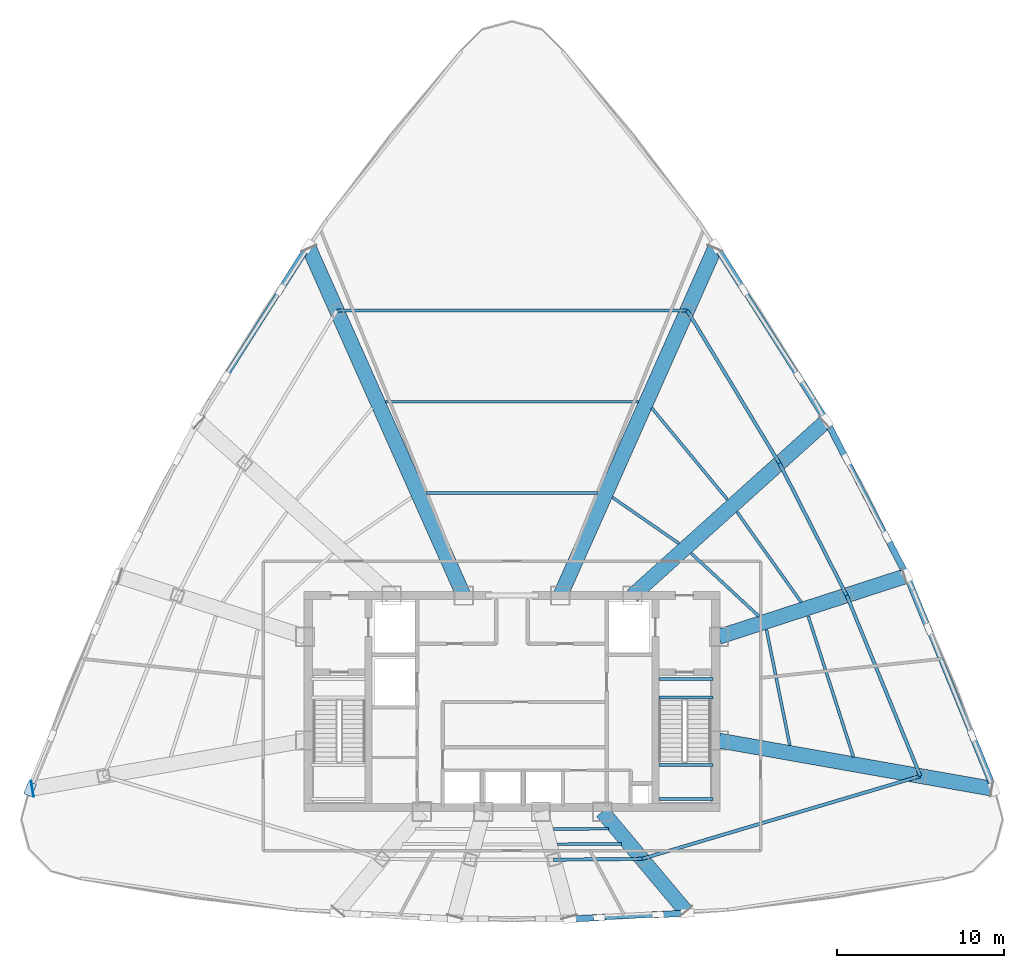
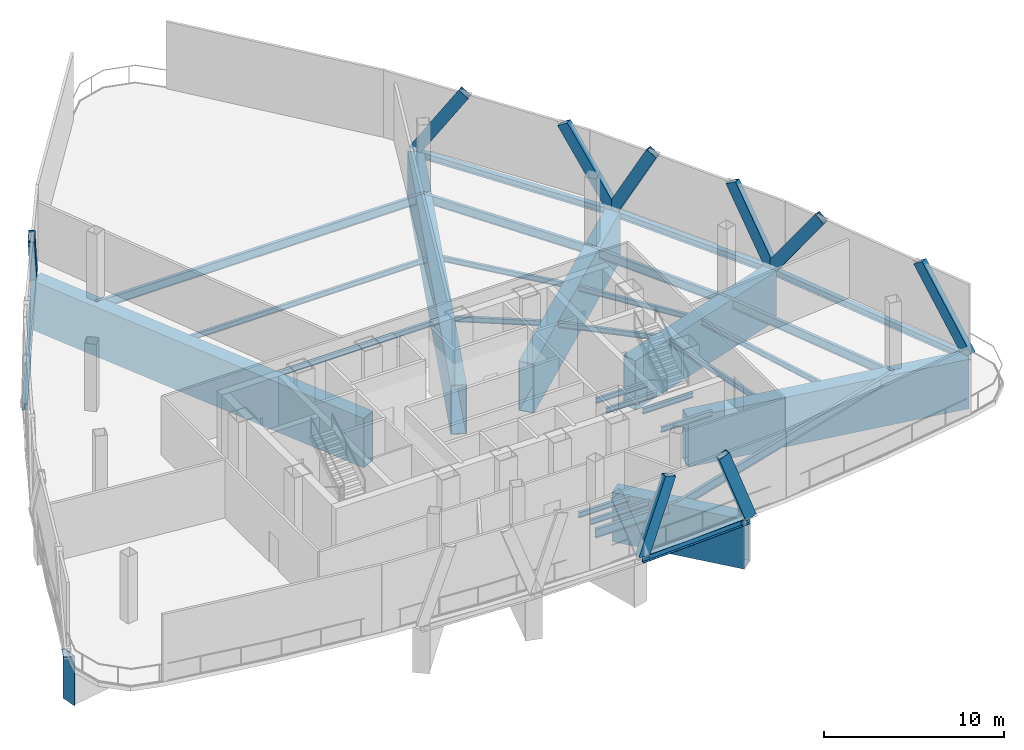
# One storey, part 2 of 12: 31 beams, 9 members, 2 plates.
"""IFC4 building model written with IfcOpenShell, lengths in metres."""

from ifc_helpers import new_model, si_unit, direction, frame, origin, origin_2d, place, context, subcontext, project, spatial, rectangle, hollow_rectangle, i_section, extrude, source, transform, mapped, material, layer, layer_set, material_profile, profile_set, type_object, element, save


model = new_model("IFC4")

# Units and contexts
model_context = context("Model", 3, precision=1e-05, world=origin(), true_north=direction((0.0, 1.0)))
body_context = subcontext(model_context, "Body", "Model", "MODEL_VIEW")
ifc_project = project(units=[si_unit("LENGTHUNIT", "METRE"), si_unit("AREAUNIT", "SQUARE_METRE"), si_unit("VOLUMEUNIT", "CUBIC_METRE"), si_unit("PLANEANGLEUNIT", "RADIAN"), si_unit("MASSUNIT", "GRAM", prefix="KILO"), si_unit("THERMODYNAMICTEMPERATUREUNIT", "KELVIN"), si_unit("POWERUNIT", "WATT")], contexts=[model_context])

# Site, building, storey
site_placement = place(None, origin())
site = spatial("IfcSite", under=ifc_project, at=site_placement, CompositionType="ELEMENT")
building_placement = place(site_placement, origin())
building = spatial("IfcBuilding", under=site, at=building_placement, Name="Yunzhuo Pagoda Commons", CompositionType="ELEMENT")
storey_placement = place(building_placement, frame((0.0, 0.0, 320.7099609375)))
storey = spatial("IfcBuildingStorey", under=building, at=storey_placement, Name="L80", CompositionType="ELEMENT", Elevation=320.7099609375)

# Beams
ifc_material_1 = material(Name="Structural steel Q355B", Category="steel")
ifc_material_profile_1 = material_profile(ifc_material_1, i_section(OverallWidth=0.175048828125, OverallDepth=0.35009765625, WebThickness=0.007080078125, FlangeThickness=0.010986328125, at=origin_2d()), Name="Structural steel Q355B")
ifc_profile_set_1 = profile_set([ifc_material_profile_1], Name="Structural steel Q355B")
beam_type_1 = type_object("IfcBeamType", Name="B-JS2 Joist HN 350x175x7x11", PredefinedType="JOIST", material=ifc_profile_set_1)
shared_shape_1 = source(origin(), body_context, "Body", "SweptSolid", [
    extrude(i_section(OverallWidth=0.175048828125, OverallDepth=0.35009765625, WebThickness=0.007080078125, FlangeThickness=0.010986328125, at=origin_2d()), origin(), (0.0, 0.0, 1.0), 3.25),
])
for number, where, z_axis, x_axis, name in (
    (1, (56.800048828125, 28.0, 2.025146484375), (1.0, 0.0, 0.0), (0.0, 1.0, 0.0), "L80 ST2 landing support beam 86A"),
    (2, (56.800048828125, 30.06005859375, 2.025146484375), (1.0, 0.0, 0.0), (0.0, 1.0, 0.0), "L80 ST2 landing support beam 86B"),
    (3, (56.800048828125, 34.10009765625, -0.375), (1.0, 0.0, 0.0), (0.0, 1.0, 0.0), "L80 ST2 landing support beam 184A"),
    (4, (56.800048828125, 35.199951171875, -0.375), (1.0, 0.0, 0.0), (0.0, 1.0, 0.0), "L80 ST2 landing support beam 184B"),
):
    element("IfcBeam", number, at=place(storey_placement, frame(where, z_axis=z_axis, x_axis=x_axis)), inside=storey, type_object=beam_type_1, Name=name, PredefinedType="JOIST", context=body_context, shape_type="MappedRepresentation", body=[
        mapped(shared_shape_1, transform((0.0, 0.0, 0.0), scale=1.0)),
    ])
ifc_material_2 = material(Name="Structural steel Q420B", Category="steel")
ifc_material_profile_2 = material_profile(ifc_material_2, hollow_rectangle(XDim=0.89990234375, YDim=3.35009765625, WallThickness=0.048095703125, at=origin_2d()), Name="Structural steel Q420B")
ifc_profile_set_2 = profile_set([ifc_material_profile_2], Name="Structural steel Q420B")
beam_type_2 = type_object("IfcBeamType", Name="BTR-2 Beam BOX 3350x900x48", PredefinedType="BEAM", material=ifc_profile_set_2)
shared_shape_2 = source(origin(), body_context, "Body", "SweptSolid", [
    extrude(hollow_rectangle(XDim=0.89990234375, YDim=3.35009765625, WallThickness=0.048095703125, at=origin_2d()), origin(), (0.0, 0.0, 1.0), 7.78271484375),
])
beam_1_placement = place(storey_placement, frame((58.414794921875, 21.2880859375, -1.955078125), z_axis=(-0.642791052162, 0.766041554526, 0.0), x_axis=(-0.766041554526, -0.642791052162, 0.0)))
element("IfcBeam", 5, at=beam_1_placement, inside=storey, type_object=beam_type_2, Name="BTR-2 L80 collinear transfer girder F1C4", PredefinedType="BEAM", context=body_context, shape_type="MappedRepresentation", body=[
    mapped(shared_shape_2, transform((0.0, 0.0, 0.0), scale=1.0)),
])
shared_shape_3 = source(origin(), body_context, "Body", "SweptSolid", [
    extrude(hollow_rectangle(XDim=0.89990234375, YDim=3.35009765625, WallThickness=0.048095703125, at=origin_2d()), origin(), (0.0, 0.0, 1.0), 16.576416015625),
])
beam_2_placement = place(storey_placement, frame((76.724609375, 28.635009765625, -1.955078125), z_axis=(-0.984808457955, 0.173644179692, 0.0), x_axis=(-0.173644179692, -0.984808457955, 0.0)))
element("IfcBeam", 6, at=beam_2_placement, inside=storey, type_object=beam_type_2, Name="BTR-2 L80 collinear transfer girder F2C1", PredefinedType="BEAM", context=body_context, shape_type="MappedRepresentation", body=[
    mapped(shared_shape_3, transform((0.0, 0.0, 0.0), scale=1.0)),
])
shared_shape_4 = source(origin(), body_context, "Body", "SweptSolid", [
    extrude(hollow_rectangle(XDim=0.89990234375, YDim=3.35009765625, WallThickness=0.048095703125, at=origin_2d()), origin(), (0.0, 0.0, 1.0), 11.676025390625),
])
beam_3_placement = place(storey_placement, frame((71.504638671875, 41.3369140625, -1.955078125), z_axis=(-0.951062491517, -0.308998603927, 0.0), x_axis=(0.308998603927, -0.951062491517, 0.0)))
element("IfcBeam", 7, at=beam_3_placement, inside=storey, type_object=beam_type_2, Name="BTR-2 L80 collinear transfer girder F2C2", PredefinedType="BEAM", context=body_context, shape_type="MappedRepresentation", body=[
    mapped(shared_shape_4, transform((0.0, 0.0, 0.0), scale=1.0)),
])
shared_shape_5 = source(origin(), body_context, "Body", "SweptSolid", [
    extrude(hollow_rectangle(XDim=0.89990234375, YDim=3.35009765625, WallThickness=0.048095703125, at=origin_2d()), origin(), (0.0, 0.0, 1.0), 15.487548828125),
])
beam_4_placement = place(storey_placement, frame((66.728515625, 50.563232421875, -1.955078125), z_axis=(-0.743142849048, -0.6691328014, 0.0), x_axis=(0.6691328014, -0.743142849048, 0.0)))
element("IfcBeam", 8, at=beam_4_placement, inside=storey, type_object=beam_type_2, Name="BTR-2 L80 collinear transfer girder F2C3", PredefinedType="BEAM", context=body_context, shape_type="MappedRepresentation", body=[
    mapped(shared_shape_5, transform((0.0, 0.0, 0.0), scale=1.0)),
])
shared_shape_6 = source(origin(), body_context, "Body", "SweptSolid", [
    extrude(hollow_rectangle(XDim=0.89990234375, YDim=3.35009765625, WallThickness=0.048095703125, at=origin_2d()), origin(), (0.0, 0.0, 1.0), 22.76953125),
])
for number, where, z_axis, x_axis, name in (
    (9, (60.1552734375, 61.0009765625, -1.955078125), (-0.406737276471, -0.913545175637, 0.0), (0.913545175637, -0.406737276471, 0.0), "BTR-2 L80 collinear transfer girder F2C4"),
    (10, (35.8447265625, 61.0009765625, -1.955078125), (0.406737276471, -0.913545175637, 0.0), (0.913545175637, 0.406737276471, 0.0), "BTR-2 L80 collinear transfer girder F3C1"),
):
    element("IfcBeam", number, at=place(storey_placement, frame(where, z_axis=z_axis, x_axis=x_axis)), inside=storey, type_object=beam_type_2, Name=name, PredefinedType="BEAM", context=body_context, shape_type="MappedRepresentation", body=[
        mapped(shared_shape_6, transform((0.0, 0.0, 0.0), scale=1.0)),
    ])
ifc_material_profile_3 = material_profile(ifc_material_1, i_section(OverallWidth=0.300048828125, OverallDepth=0.43994140625, WebThickness=0.010986328125, FlangeThickness=0.01806640625, at=origin_2d()), Name="Structural steel Q355B")
ifc_profile_set_3 = profile_set([ifc_material_profile_3], Name="Structural steel Q355B")
beam_type_3 = type_object("IfcBeamType", Name="B-SP2 Beam HM 440x300x11x18", PredefinedType="BEAM", material=ifc_profile_set_3)
shared_shape_7 = source(origin(), body_context, "Body", "SweptSolid", [
    extrude(i_section(OverallWidth=0.300048828125, OverallDepth=0.43994140625, WebThickness=0.010986328125, FlangeThickness=0.01806640625, at=origin_2d()), origin(), (0.0, 0.0, 1.0), 7.0712890625),
])
beam_5_placement = place(storey_placement, frame((51.451904296875, 20.817138671875, -0.5), z_axis=(0.998758186738, 0.049820522105, 0.0), x_axis=(-0.049820522105, 0.998758186738, 0.0)))
element("IfcBeam", 11, at=beam_5_placement, inside=storey, type_object=beam_type_3, Name="L80 facade edge spandrel beam F1.3", PredefinedType="BEAM", context=body_context, shape_type="MappedRepresentation", body=[
    mapped(shared_shape_7, transform((0.0, 0.0, 0.0), scale=1.0)),
])
shared_shape_8 = source(origin(), body_context, "Body", "SweptSolid", [
    extrude(i_section(OverallWidth=0.300048828125, OverallDepth=0.43994140625, WebThickness=0.010986328125, FlangeThickness=0.01806640625, at=origin_2d()), origin(), (0.0, 0.0, 1.0), 13.80419921875),
])
beam_6_placement = place(storey_placement, frame((76.87744140625, 28.608154296875, -0.5), z_axis=(-0.378566733914, 0.925573999189, 0.0), x_axis=(-0.925573999189, -0.378566733914, 0.0)))
element("IfcBeam", 12, at=beam_6_placement, inside=storey, type_object=beam_type_3, Name="L80 facade edge spandrel beam F2.1", PredefinedType="BEAM", context=body_context, shape_type="MappedRepresentation", body=[
    mapped(shared_shape_8, transform((0.0, 0.0, 0.0), scale=1.0)),
])
shared_shape_9 = source(origin(), body_context, "Body", "SweptSolid", [
    extrude(i_section(OverallWidth=0.300048828125, OverallDepth=0.43994140625, WebThickness=0.010986328125, FlangeThickness=0.01806640625, at=origin_2d()), origin(), (0.0, 0.0, 1.0), 10.453369140625),
])
beam_7_placement = place(storey_placement, frame((71.651611328125, 41.385009765625, -0.5), z_axis=(-0.459938764451, 0.887950636553, 0.0), x_axis=(-0.887950636553, -0.459938764451, 0.0)))
element("IfcBeam", 13, at=beam_7_placement, inside=storey, type_object=beam_type_3, Name="L80 facade edge spandrel beam F2.2", PredefinedType="BEAM", context=body_context, shape_type="MappedRepresentation", body=[
    mapped(shared_shape_9, transform((0.0, 0.0, 0.0), scale=1.0)),
])
shared_shape_10 = source(origin(), body_context, "Body", "SweptSolid", [
    extrude(i_section(OverallWidth=0.300048828125, OverallDepth=0.43994140625, WebThickness=0.010986328125, FlangeThickness=0.01806640625, at=origin_2d()), origin(), (0.0, 0.0, 1.0), 12.39501953125),
])
for number, where, z_axis, x_axis, name in (
    (14, (66.84375, 50.6669921875, -0.5), (-0.534530897575, 0.845148933347, 0.0), (-0.845148933347, -0.534530897575, 0.0), "L80 facade edge spandrel beam F2.3"),
    (15, (35.78173828125, 61.142578125, -0.5), (-0.534530897575, -0.845148933347, 0.0), (0.845148933347, -0.534530897575, 0.0), "L80 facade edge spandrel beam F3.1"),
):
    element("IfcBeam", number, at=place(storey_placement, frame(where, z_axis=z_axis, x_axis=x_axis)), inside=storey, type_object=beam_type_3, Name=name, PredefinedType="BEAM", context=body_context, shape_type="MappedRepresentation", body=[
        mapped(shared_shape_10, transform((0.0, 0.0, 0.0), scale=1.0)),
    ])
ifc_material_profile_4 = material_profile(ifc_material_1, i_section(OverallWidth=0.199951171875, OverallDepth=0.60009765625, WebThickness=0.010986328125, FlangeThickness=0.01708984375, at=origin_2d()), Name="Structural steel Q355B")
ifc_profile_set_4 = profile_set([ifc_material_profile_4], Name="Structural steel Q355B")
beam_type_4 = type_object("IfcBeamType", Name="B-RG3 Beam HN 600x200x11x17", PredefinedType="BEAM", material=ifc_profile_set_4)
shared_shape_11 = source(origin(), body_context, "Body", "SweptSolid", [
    extrude(i_section(OverallWidth=0.199951171875, OverallDepth=0.60009765625, WebThickness=0.010986328125, FlangeThickness=0.01708984375, at=origin_2d()), origin(), (0.0, 0.0, 1.0), 5.286376953125),
])
beam_8_placement = place(storey_placement, frame((50.499267578125, 24.372802734375, -0.580078125), z_axis=(0.999957341442, 0.009236627946, 0.0), x_axis=(-0.009236627946, 0.999957341442, 0.0)))
element("IfcBeam", 16, at=beam_8_placement, inside=storey, type_object=beam_type_4, Name="L80 column-ring beam 3", PredefinedType="BEAM", context=body_context, shape_type="MappedRepresentation", body=[
    mapped(shared_shape_11, transform((0.0, 0.0, 0.0), scale=1.0)),
])
shared_shape_12 = source(origin(), body_context, "Body", "SweptSolid", [
    extrude(i_section(OverallWidth=0.175048828125, OverallDepth=0.35009765625, WebThickness=0.007080078125, FlangeThickness=0.010986328125, at=origin_2d()), origin(), (0.0, 0.0, 1.0), 3.306640625),
])
beam_9_placement = place(storey_placement, frame((50.48291015625, 26.21630859375, -0.455078125), z_axis=(0.999991754896, 0.004060805266, 0.0), x_axis=(-0.004060805266, 0.999991754896, 0.0)))
element("IfcBeam", 17, at=beam_9_placement, inside=storey, type_object=beam_type_1, Name="L80 composite ring joist 1.3", PredefinedType="JOIST", context=body_context, shape_type="MappedRepresentation", body=[
    mapped(shared_shape_12, transform((0.0, 0.0, 0.0), scale=1.0)),
])
shared_shape_13 = source(origin(), body_context, "Body", "SweptSolid", [
    extrude(i_section(OverallWidth=0.175048828125, OverallDepth=0.35009765625, WebThickness=0.007080078125, FlangeThickness=0.010986328125, at=origin_2d()), origin(), (0.0, 0.0, 1.0), 3.819580078125),
])
beam_10_placement = place(storey_placement, frame((50.7294921875, 25.296875, -0.455078125), z_axis=(0.999975730767, 0.006966913049, 0.0), x_axis=(-0.006966913049, 0.999975730767, 0.0)))
element("IfcBeam", 18, at=beam_10_placement, inside=storey, type_object=beam_type_1, Name="L80 composite ring joist 2.3", PredefinedType="JOIST", context=body_context, shape_type="MappedRepresentation", body=[
    mapped(shared_shape_13, transform((0.0, 0.0, 0.0), scale=1.0)),
])
shared_shape_14 = source(origin(), body_context, "Body", "SweptSolid", [
    extrude(i_section(OverallWidth=0.199951171875, OverallDepth=0.60009765625, WebThickness=0.010986328125, FlangeThickness=0.01708984375, at=origin_2d()), origin(), (0.0, 0.0, 1.0), 17.407470703125),
])
beam_11_placement = place(storey_placement, frame((55.785400390625, 24.421630859375, -0.580078125), z_axis=(0.958484984609, 0.285143006717, 0.0), x_axis=(-0.285143006717, 0.958484984609, 0.0)))
element("IfcBeam", 19, at=beam_11_placement, inside=storey, type_object=beam_type_4, Name="L80 column-ring beam 4", PredefinedType="BEAM", context=body_context, shape_type="MappedRepresentation", body=[
    mapped(shared_shape_14, transform((0.0, 0.0, 0.0), scale=1.0)),
])
shared_shape_15 = source(origin(), body_context, "Body", "SweptSolid", [
    extrude(i_section(OverallWidth=0.199951171875, OverallDepth=0.60009765625, WebThickness=0.010986328125, FlangeThickness=0.01708984375, at=origin_2d()), origin(), (0.0, 0.0, 1.0), 11.696533203125),
])
beam_12_placement = place(storey_placement, frame((72.47021484375, 29.38525390625, -0.580078125), z_axis=(-0.377611800863, 0.925963999219, 0.0), x_axis=(-0.925963999219, -0.377611800863, 0.0)))
element("IfcBeam", 20, at=beam_12_placement, inside=storey, type_object=beam_type_4, Name="L80 column-ring beam 5", PredefinedType="BEAM", context=body_context, shape_type="MappedRepresentation", body=[
    mapped(shared_shape_15, transform((0.0, 0.0, 0.0), scale=1.0)),
])
shared_shape_16 = source(origin(), body_context, "Body", "SweptSolid", [
    extrude(i_section(OverallWidth=0.175048828125, OverallDepth=0.35009765625, WebThickness=0.007080078125, FlangeThickness=0.010986328125, at=origin_2d()), origin(), (0.0, 0.0, 1.0), 7.08203125),
])
beam_13_placement = place(storey_placement, frame((64.65087890625, 31.21484375, -0.455078125), z_axis=(-0.197879282524, 0.980226397088, 0.0), x_axis=(-0.980226397088, -0.197879282524, 0.0)))
element("IfcBeam", 21, at=beam_13_placement, inside=storey, type_object=beam_type_1, Name="L80 composite ring joist 1.5", PredefinedType="JOIST", context=body_context, shape_type="MappedRepresentation", body=[
    mapped(shared_shape_16, transform((0.0, 0.0, 0.0), scale=1.0)),
])
shared_shape_17 = source(origin(), body_context, "Body", "SweptSolid", [
    extrude(i_section(OverallWidth=0.175048828125, OverallDepth=0.35009765625, WebThickness=0.007080078125, FlangeThickness=0.010986328125, at=origin_2d()), origin(), (0.0, 0.0, 1.0), 8.869873046875),
])
beam_14_placement = place(storey_placement, frame((68.4619140625, 30.5205078125, -0.455078125), z_axis=(-0.305713365988, 0.952123593793, 0.0), x_axis=(-0.952123593793, -0.305713365988, 0.0)))
element("IfcBeam", 22, at=beam_14_placement, inside=storey, type_object=beam_type_1, Name="L80 composite ring joist 2.5", PredefinedType="JOIST", context=body_context, shape_type="MappedRepresentation", body=[
    mapped(shared_shape_17, transform((0.0, 0.0, 0.0), scale=1.0)),
])
shared_shape_18 = source(origin(), body_context, "Body", "SweptSolid", [
    extrude(i_section(OverallWidth=0.199951171875, OverallDepth=0.60009765625, WebThickness=0.010986328125, FlangeThickness=0.01708984375, at=origin_2d()), origin(), (0.0, 0.0, 1.0), 8.87939453125),
])
beam_15_placement = place(storey_placement, frame((68.053466796875, 40.2158203125, -0.580078125), z_axis=(-0.453723535687, 0.891142498798, 0.0), x_axis=(-0.891142498798, -0.453723535687, 0.0)))
element("IfcBeam", 23, at=beam_15_placement, inside=storey, type_object=beam_type_4, Name="L80 column-ring beam 6", PredefinedType="BEAM", context=body_context, shape_type="MappedRepresentation", body=[
    mapped(shared_shape_18, transform((0.0, 0.0, 0.0), scale=1.0)),
])
shared_shape_19 = source(origin(), body_context, "Body", "SweptSolid", [
    extrude(i_section(OverallWidth=0.175048828125, OverallDepth=0.35009765625, WebThickness=0.007080078125, FlangeThickness=0.010986328125, at=origin_2d()), origin(), (0.0, 0.0, 1.0), 5.55322265625),
])
beam_16_placement = place(storey_placement, frame((62.805908203125, 38.948974609375, -0.455078125), z_axis=(-0.73248494532, 0.680783228994, 0.0), x_axis=(-0.680783228994, -0.73248494532, 0.0)))
element("IfcBeam", 24, at=beam_16_placement, inside=storey, type_object=beam_type_1, Name="L80 composite ring joist 1.6", PredefinedType="JOIST", context=body_context, shape_type="MappedRepresentation", body=[
    mapped(shared_shape_19, transform((0.0, 0.0, 0.0), scale=1.0)),
])
shared_shape_20 = source(origin(), body_context, "Body", "SweptSolid", [
    extrude(i_section(OverallWidth=0.175048828125, OverallDepth=0.35009765625, WebThickness=0.007080078125, FlangeThickness=0.010986328125, at=origin_2d()), origin(), (0.0, 0.0, 1.0), 6.623779296875),
])
beam_17_placement = place(storey_placement, frame((65.32763671875, 39.80859375, -0.455078125), z_axis=(-0.580331322186, 0.814380474036, 0.0), x_axis=(-0.814380474036, -0.580331322186, 0.0)))
element("IfcBeam", 25, at=beam_17_placement, inside=storey, type_object=beam_type_1, Name="L80 composite ring joist 2.6", PredefinedType="JOIST", context=body_context, shape_type="MappedRepresentation", body=[
    mapped(shared_shape_20, transform((0.0, 0.0, 0.0), scale=1.0)),
])
shared_shape_21 = source(origin(), body_context, "Body", "SweptSolid", [
    extrude(i_section(OverallWidth=0.199951171875, OverallDepth=0.60009765625, WebThickness=0.010986328125, FlangeThickness=0.01708984375, at=origin_2d()), origin(), (0.0, 0.0, 1.0), 10.691162109375),
])
beam_18_placement = place(storey_placement, frame((64.024658203125, 48.128662109375, -0.580078125), z_axis=(-0.516864678433, 0.856067114301, 0.0), x_axis=(-0.856067114301, -0.516864678433, 0.0)))
element("IfcBeam", 26, at=beam_18_placement, inside=storey, type_object=beam_type_4, Name="L80 column-ring beam 7", PredefinedType="BEAM", context=body_context, shape_type="MappedRepresentation", body=[
    mapped(shared_shape_21, transform((0.0, 0.0, 0.0), scale=1.0)),
])
shared_shape_22 = source(origin(), body_context, "Body", "SweptSolid", [
    extrude(i_section(OverallWidth=0.175048828125, OverallDepth=0.35009765625, WebThickness=0.007080078125, FlangeThickness=0.010986328125, at=origin_2d()), origin(), (0.0, 0.0, 1.0), 4.832763671875),
])
beam_19_placement = place(storey_placement, frame((57.996826171875, 43.325927734375, -0.455078125), z_axis=(-0.822095789591, 0.56934920105, 0.0), x_axis=(-0.56934920105, -0.822095789591, 0.0)))
element("IfcBeam", 27, at=beam_19_placement, inside=storey, type_object=beam_type_1, Name="L80 composite ring joist 1.7", PredefinedType="JOIST", context=body_context, shape_type="MappedRepresentation", body=[
    mapped(shared_shape_22, transform((0.0, 0.0, 0.0), scale=1.0)),
])
shared_shape_23 = source(origin(), body_context, "Body", "SweptSolid", [
    extrude(i_section(OverallWidth=0.175048828125, OverallDepth=0.35009765625, WebThickness=0.007080078125, FlangeThickness=0.010986328125, at=origin_2d()), origin(), (0.0, 0.0, 1.0), 7.118408203125),
])
beam_20_placement = place(storey_placement, frame((60.903076171875, 45.95947265625, -0.455078125), z_axis=(-0.636926648368, 0.770924409134, 0.0), x_axis=(-0.770924409134, -0.636926648368, 0.0)))
element("IfcBeam", 28, at=beam_20_placement, inside=storey, type_object=beam_type_1, Name="L80 composite ring joist 2.7", PredefinedType="JOIST", context=body_context, shape_type="MappedRepresentation", body=[
    mapped(shared_shape_23, transform((0.0, 0.0, 0.0), scale=1.0)),
])
shared_shape_24 = source(origin(), body_context, "Body", "SweptSolid", [
    extrude(i_section(OverallWidth=0.199951171875, OverallDepth=0.60009765625, WebThickness=0.010986328125, FlangeThickness=0.01708984375, at=origin_2d()), origin(), (0.0, 0.0, 1.0), 20.99755859375),
])
beam_21_placement = place(storey_placement, frame((58.498779296875, 57.281005859375, -0.580078125), z_axis=(-1.0, 0.0, 0.0), x_axis=(0.0, -1.0, 0.0)))
element("IfcBeam", 29, at=beam_21_placement, inside=storey, type_object=beam_type_4, Name="L80 column-ring beam 8", PredefinedType="BEAM", context=body_context, shape_type="MappedRepresentation", body=[
    mapped(shared_shape_24, transform((0.0, 0.0, 0.0), scale=1.0)),
])
shared_shape_25 = source(origin(), body_context, "Body", "SweptSolid", [
    extrude(i_section(OverallWidth=0.175048828125, OverallDepth=0.35009765625, WebThickness=0.007080078125, FlangeThickness=0.010986328125, at=origin_2d()), origin(), (0.0, 0.0, 1.0), 10.3095703125),
])
beam_22_placement = place(storey_placement, frame((53.15478515625, 46.34912109375, -0.455078125), z_axis=(-1.0, 0.0, 0.0), x_axis=(0.0, -1.0, 0.0)))
element("IfcBeam", 30, at=beam_22_placement, inside=storey, type_object=beam_type_1, Name="L80 composite ring joist 1.8", PredefinedType="JOIST", context=body_context, shape_type="MappedRepresentation", body=[
    mapped(shared_shape_25, transform((0.0, 0.0, 0.0), scale=1.0)),
])
shared_shape_26 = source(origin(), body_context, "Body", "SweptSolid", [
    extrude(i_section(OverallWidth=0.175048828125, OverallDepth=0.35009765625, WebThickness=0.007080078125, FlangeThickness=0.010986328125, at=origin_2d()), origin(), (0.0, 0.0, 1.0), 15.1767578125),
])
beam_23_placement = place(storey_placement, frame((55.58837890625, 51.81494140625, -0.455078125), z_axis=(-1.0, 0.0, 0.0), x_axis=(0.0, -1.0, 0.0)))
element("IfcBeam", 31, at=beam_23_placement, inside=storey, type_object=beam_type_1, Name="L80 composite ring joist 2.8", PredefinedType="JOIST", context=body_context, shape_type="MappedRepresentation", body=[
    mapped(shared_shape_26, transform((0.0, 0.0, 0.0), scale=1.0)),
])

# Members
ifc_material_profile_5 = material_profile(ifc_material_1, hollow_rectangle(XDim=0.3798828125, YDim=0.719970703125, WallThickness=0.02001953125, at=origin_2d()), Name="Structural steel Q355B")
ifc_profile_set_5 = profile_set([ifc_material_profile_5], Name="Structural steel Q355B")
member_type = type_object("IfcMemberType", Name="M-DL3 Brace BOX 720x380x20", PredefinedType="BRACE", material=ifc_profile_set_5)
shared_shape_27 = source(origin(), body_context, "Body", "SweptSolid", [
    extrude(hollow_rectangle(XDim=0.3798828125, YDim=0.719970703125, WallThickness=0.02001953125, at=origin_2d()), origin(), (0.0, 0.0, 1.0), 5.134033203125),
])
for number, where, z_axis, x_axis, name in (
    (32, (51.451904296875, 20.817138671875, -0.280029296875), (0.34390656646, 0.017119242799, 0.938847807193), (-0.049717201424, 0.998763335271, 0.0), "L80 facade diamond brace F1.3L"),
    (33, (58.514404296875, 21.16943359375, -0.280029296875), (-0.343906286104, -0.017166782257, 0.938847041836), (0.049854961977, -0.998756468197, 0.0), "L80 facade diamond brace F1.3R"),
):
    element("IfcMember", number, at=place(storey_placement, frame(where, z_axis=z_axis, x_axis=x_axis)), inside=storey, type_object=member_type, Name=name, PredefinedType="BRACE", context=body_context, shape_type="MappedRepresentation", body=[
        mapped(shared_shape_27, transform((0.0, 0.0, 0.0), scale=1.0)),
    ])
shared_shape_28 = source(origin(), body_context, "Body", "SweptSolid", [
    extrude(hollow_rectangle(XDim=0.3798828125, YDim=0.719970703125, WallThickness=0.02001953125, at=origin_2d()), origin(), (0.0, 0.0, 1.0), 5.927978515625),
])
member_1_placement = place(storey_placement, frame((76.87744140625, 28.608154296875, -0.280029296875), z_axis=(-0.220374862923, 0.538808508992, 0.81309305152), x_axis=(-0.925575126988, -0.378563976497, 0.0)))
element("IfcMember", 34, at=member_1_placement, inside=storey, type_object=member_type, Name="L80 facade diamond brace F2.1L", PredefinedType="BRACE", context=body_context, shape_type="MappedRepresentation", body=[
    mapped(shared_shape_28, transform((0.0, 0.0, 0.0), scale=1.0)),
])
shared_shape_29 = source(origin(), body_context, "Body", "SweptSolid", [
    extrude(hollow_rectangle(XDim=0.3798828125, YDim=0.719970703125, WallThickness=0.02001953125, at=origin_2d()), origin(), (0.0, 0.0, 1.0), 5.92822265625),
])
member_2_placement = place(storey_placement, frame((71.651611328125, 41.385009765625, -0.280029296875), z_axis=(0.220369972732, -0.538837735607, 0.813075008719), x_axis=(0.925585264707, 0.378539189196, 0.0)))
element("IfcMember", 35, at=member_2_placement, inside=storey, type_object=member_type, Name="L80 facade diamond brace F2.1R", PredefinedType="BRACE", context=body_context, shape_type="MappedRepresentation", body=[
    mapped(shared_shape_29, transform((0.0, 0.0, 0.0), scale=1.0)),
])
shared_shape_30 = source(origin(), body_context, "Body", "SweptSolid", [
    extrude(hollow_rectangle(XDim=0.3798828125, YDim=0.719970703125, WallThickness=0.02001953125, at=origin_2d()), origin(), (0.0, 0.0, 1.0), 5.48291015625),
])
for number, where, z_axis, x_axis, name in (
    (36, (71.651611328125, 41.385009765625, -0.280029296875), (-0.219212182956, 0.423195731631, 0.879119668517), (-0.887945352452, -0.459948965711, 0.0), "L80 facade diamond brace F2.2L"),
    (37, (66.84375, 50.6669921875, -0.280029296875), (0.219212182956, -0.423195731631, 0.879119668517), (0.887945352452, 0.459948965711, 0.0), "L80 facade diamond brace F2.2R"),
):
    element("IfcMember", number, at=place(storey_placement, frame(where, z_axis=z_axis, x_axis=x_axis)), inside=storey, type_object=member_type, Name=name, PredefinedType="BRACE", context=body_context, shape_type="MappedRepresentation", body=[
        mapped(shared_shape_30, transform((0.0, 0.0, 0.0), scale=1.0)),
    ])
shared_shape_31 = source(origin(), body_context, "Body", "SweptSolid", [
    extrude(hollow_rectangle(XDim=0.3798828125, YDim=0.719970703125, WallThickness=0.02001953125, at=origin_2d()), origin(), (0.0, 0.0, 1.0), 5.730224609375),
])
for number, where, z_axis, x_axis, name in (
    (38, (66.84375, 50.6669921875, -0.280029296875), (-0.289079364295, 0.45703085347, 0.841163432465), (-0.845131136899, -0.534559034573, 0.0), "L80 facade diamond brace F2.3L"),
    (39, (60.21826171875, 61.142578125, -0.280029296875), (0.289040318341, -0.457036482141, 0.841173792011), (0.845166729607, 0.534502758801, 0.0), "L80 facade diamond brace F2.3R"),
    (40, (35.78173828125, 61.142578125, -0.280029296875), (-0.289040318341, -0.457036482141, 0.841173792011), (0.845166729607, -0.534502758801, 0.0), "L80 facade diamond brace F3.1L"),
):
    element("IfcMember", number, at=place(storey_placement, frame(where, z_axis=z_axis, x_axis=x_axis)), inside=storey, type_object=member_type, Name=name, PredefinedType="BRACE", context=body_context, shape_type="MappedRepresentation", body=[
        mapped(shared_shape_31, transform((0.0, 0.0, 0.0), scale=1.0)),
    ])

# Plates
ifc_layer_1 = layer(ifc_material_2, 0.0400390625)
ifc_layer_set_1 = layer_set([ifc_layer_1], Name="Structural steel Q420B")
plate_type_1 = type_object("IfcPlateType", Name="EP-TR2 Transfer Girder End Cap Plate 980x3540x40", PredefinedType="USERDEFINED", material=ifc_layer_set_1)
shared_shape_32 = source(origin(), body_context, "Body", "SweptSolid", [
    extrude(rectangle(XDim=0.97998046875, YDim=0.0400390625, at=origin_2d()), origin(), (0.0, 0.0, 1.0), 3.389892578125),
])
plate_1_placement = place(storey_placement, frame((19.257568359375, 28.632080078125, -3.64990234375), z_axis=(0.0, 0.0, 1.0), x_axis=(0.173648177667, -0.984807753012, 0.0)))
element("IfcPlate", 41, at=plate_1_placement, inside=storey, type_object=plate_type_1, Name="L80 transfer girder end cap plate F3C4", ObjectType="END_PLATE", PredefinedType="USERDEFINED", context=body_context, shape_type="MappedRepresentation", body=[
    mapped(shared_shape_32, transform((0.0, 0.0, 0.0), scale=1.0)),
])
ifc_layer_2 = layer(ifc_material_1, 0.028076171875)
ifc_layer_set_2 = layer_set([ifc_layer_2], Name="Structural steel Q355B")
plate_type_2 = type_object("IfcPlateType", Name="SP-ND1 Lattice Node Cap Plate 800x500x28", PredefinedType="USERDEFINED", material=ifc_layer_set_2)
shared_shape_33 = source(origin(), body_context, "Body", "SweptSolid", [
    extrude(rectangle(XDim=0.800048828125, YDim=0.5, at=origin_2d()), origin(), (0.0, 0.0, 1.0), 0.028076171875),
])
plate_2_placement = place(storey_placement, frame((19.12255859375, 28.608154296875, -0.2939453125), z_axis=(0.0, 0.0, 1.0), x_axis=(-0.378567847265, -0.925573543819, 0.0)))
element("IfcPlate", 42, at=plate_2_placement, inside=storey, type_object=plate_type_2, Name="L80 diamond node plate F3.3B", ObjectType="STIFFENER_PLATE", PredefinedType="USERDEFINED", context=body_context, shape_type="MappedRepresentation", body=[
    mapped(shared_shape_33, transform((0.0, 0.0, 0.0), scale=1.0)),
])

save(model, "model.ifc")
